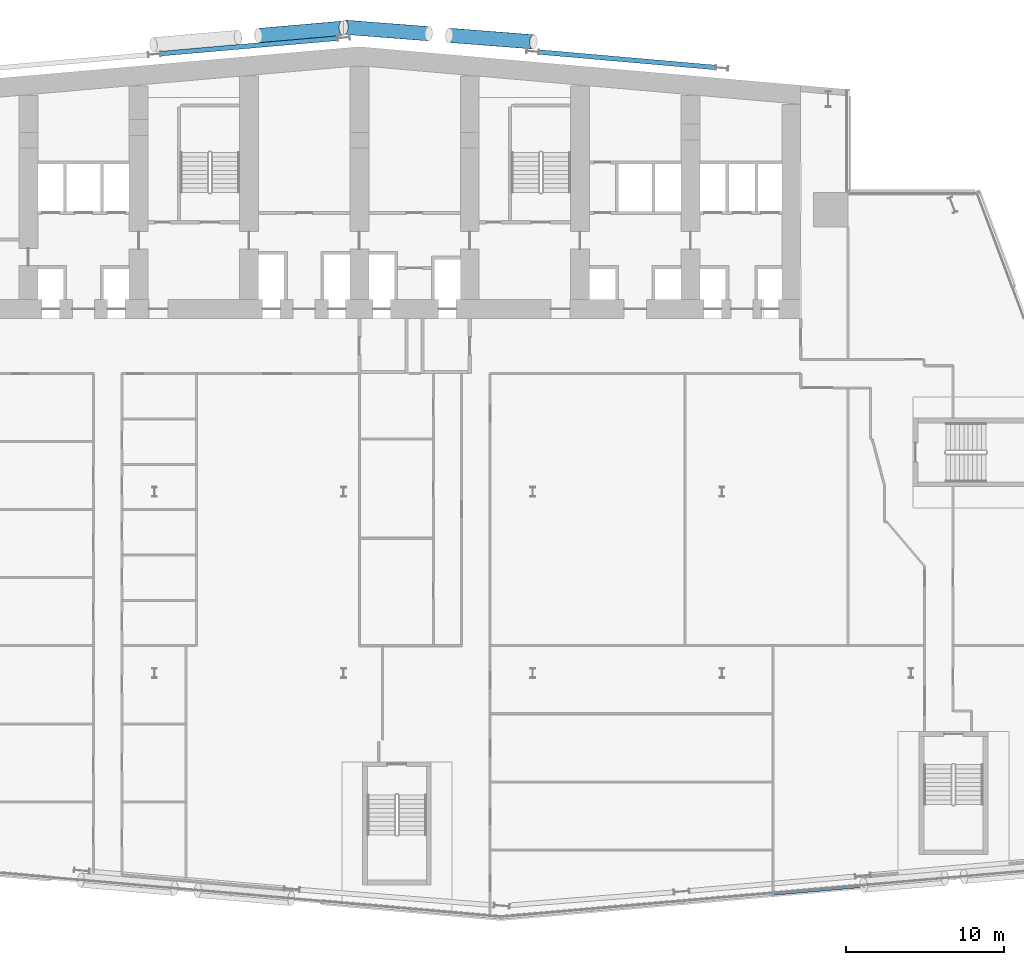
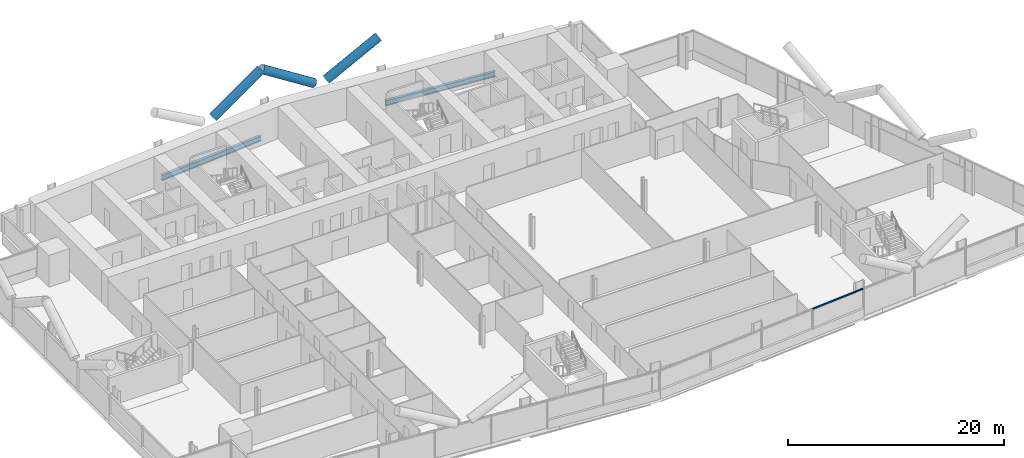
# One storey, part 8 of 27: 4 members, 2 beams, 1 element without a shape of its own.
"""IFC4 building model written with IfcOpenShell, lengths in metres."""

from ifc_helpers import new_model, si_unit, direction, frame, origin, origin_2d, place, context, subcontext, project, spatial, rectangle, hollow_circle, i_section, extrude, material, material_profile, profile_set, type_object, element, aggregate, save


model = new_model("IFC4")

# Units and contexts
model_context = context("Model", 3, precision=1e-05, world=origin(), true_north=direction((0.0, 1.0)))
body_context = subcontext(model_context, "Body", "Model", "MODEL_VIEW")
ifc_project = project(units=[si_unit("LENGTHUNIT", "METRE"), si_unit("AREAUNIT", "SQUARE_METRE"), si_unit("VOLUMEUNIT", "CUBIC_METRE"), si_unit("PLANEANGLEUNIT", "RADIAN"), si_unit("MASSUNIT", "GRAM", prefix="KILO")], contexts=[model_context])

# Site, building, storey
site_placement = place(None, origin())
site = spatial("IfcSite", under=ifc_project, at=site_placement, CompositionType="ELEMENT")
building_placement = place(site_placement, origin())
building = spatial("IfcBuilding", under=site, at=building_placement, Name="Wharfspan Tower", CompositionType="ELEMENT")
storey_placement = place(building_placement, frame((0.0, 0.0, 77.5)))
storey = spatial("IfcBuildingStorey", under=building, at=storey_placement, Name="L16", CompositionType="ELEMENT", Elevation=77.5)

# Beams
ifc_material_1 = material(Name="Steel S355J2", Category="steel")
ifc_material_profile_1 = material_profile(ifc_material_1, i_section(OverallWidth=0.300049, OverallDepth=0.600098, WebThickness=0.015381, FlangeThickness=0.030029, FilletRadius=0.0271, at=origin_2d()))
ifc_profile_set_1 = profile_set([ifc_material_profile_1], Name="Steel S355J2")
beam_type = type_object("IfcBeamType", Name="Edge beam HEB 600", PredefinedType="SPANDREL", material=ifc_profile_set_1)
for number, where, z_axis, x_axis, name in (
    (1, (59.598633, 49.919922, -0.699951), (-0.996194, 0.087165, 0.0), (-0.087165, -0.996194, 0.0), "Edge beam N2 L16 R.5 to R.4"),
    (2, (35.598633, 51.774414, -0.699951), (-0.996196, -0.087143, 0.0), (0.087143, -0.996196, 0.0), "Edge beam N1 L16 R.3 to R.2"),
):
    element("IfcBeam", number, at=place(storey_placement, frame(where, z_axis=z_axis, x_axis=x_axis)), inside=storey, type_object=beam_type, Name=name, PredefinedType="SPANDREL", context=body_context, shape_type="SweptSolid", body=[
        extrude(i_section(OverallWidth=0.300049, OverallDepth=0.600098, WebThickness=0.015381, FlangeThickness=0.030029, FilletRadius=0.0271, at=origin_2d()), origin(), (0.0, 0.0, 1.0), 11.23999),
    ])

# Members
ifc_material_2 = material(Name="Steel S460NH", Category="steel")
ifc_material_profile_2 = material_profile(ifc_material_2, hollow_circle(Radius=0.457031, WallThickness=0.040039, at=origin_2d()))
ifc_profile_set_2 = profile_set([ifc_material_profile_2], Name="Steel S460NH")
member_type_1 = type_object("IfcMemberType", Name="Mega brace CHS 914x40", PredefinedType="BRACE", material=ifc_profile_set_2)
member_1_placement = place(storey_placement, frame((30.597656, 51.944824, 3.290283), z_axis=(0.855094, 0.074809, 0.513048), x_axis=(-0.087154, 0.996195, 1e-06)))
element("IfcMember", 3, at=member_1_placement, inside=storey, type_object=member_type_1, Name="Mega brace N7 L16 part 2", PredefinedType="BRACE", context=body_context, shape_type="SweptSolid", body=[
    extrude(hollow_circle(Radius=0.457031, WallThickness=0.040039, at=origin_2d()), origin(), (0.0, 0.0, 1.0), 6.256104),
])
for number, where, z_axis, x_axis, name in (
    (4, (42.696533, 51.959961, 3.290039), (0.85551, -0.066472, 0.513501), (0.077467, 0.996995, -3e-06), "Mega brace N8 L16 part 2"),
    (5, (41.396484, 52.060791, 3.290039), (-0.85551, 0.066472, 0.513501), (-0.077467, -0.996995, -3e-06), "Mega brace N8 L16 part 4"),
):
    element("IfcMember", number, at=place(storey_placement, frame(where, z_axis=z_axis, x_axis=x_axis)), inside=storey, type_object=member_type_1, Name=name, PredefinedType="BRACE", context=body_context, shape_type="SweptSolid", body=[
        extrude(hollow_circle(Radius=0.457031, WallThickness=0.040039, at=origin_2d()), origin(), (0.0, 0.0, 1.0), 6.251221),
    ])

# Curtain wall, member
ifc_material_3 = material(Name="Aluminium 6063-T6", Category="aluminium")
curtain_wall_type = type_object("IfcCurtainWallType", Name="CURTAIN WALL FACETED FRONT", PredefinedType="NOTDEFINED", material=ifc_material_3)
curtain_wall_placement = place(storey_placement, origin())
curtain_wall = element("IfcCurtainWall", 6, at=curtain_wall_placement, inside=storey, type_object=curtain_wall_type, Name="Curtain wall S2", PredefinedType="NOTDEFINED")
ifc_material_profile_3 = material_profile(ifc_material_3, rectangle(XDim=0.159912, YDim=0.080078, at=origin_2d()))
ifc_profile_set_3 = profile_set([ifc_material_profile_3], Name="Aluminium 6063-T6")
member_type_2 = type_object("IfcMemberType", Name="TRANSOM FACETED FRONT 80x160", PredefinedType="USERDEFINED", material=ifc_profile_set_3)
member_2_placement = place(storey_placement, frame((63.279785, -2.512695, 3.159912), z_axis=(0.996195, 0.087148, 0.0), x_axis=(-0.087148, 0.996195, 0.0)))
member_2 = element("IfcMember", 7, at=member_2_placement, type_object=member_type_2, Name="Curtain wall S2 transom 4", ObjectType="TRANSOM", PredefinedType="USERDEFINED", context=body_context, shape_type="SweptSolid", body=[
    extrude(rectangle(XDim=0.159912, YDim=0.080078, at=origin_2d()), origin(), (0.0, 0.0, 1.0), 5.712158),
])
aggregate(curtain_wall, [member_2])

save(model, "model.ifc")
